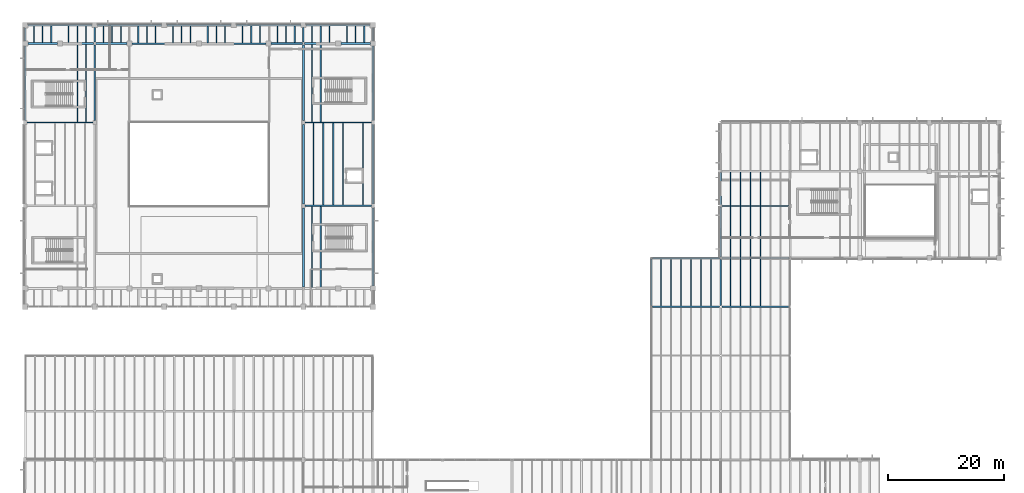
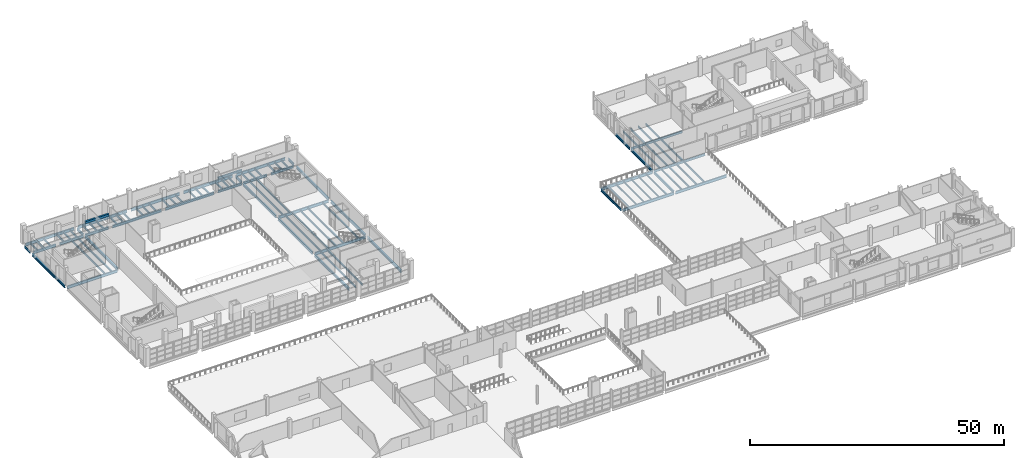
# One storey, part 44 of 78: 98 beams.
"""IFC4 building model written with IfcOpenShell, lengths in metres."""

import ifcopenshell
import ifcopenshell.guid

model = None  # the IFC model being written
_history = None  # IfcOwnerHistory: only IFC2X3 demands one
_inside = {}  # id of a spatial element -> (the spatial element, [elements in it])
_under = {}  # id of a project, library or spatial element -> (it, [spatial elements below it])
_declared = {}  # id of a project -> (the project, [libraries it declares])
_typed = {}  # id of a type object -> (the type object, [elements of that type])
_made_of = {}  # id of a material, layer set ... -> (it, [elements and type objects made of it])


def new_model(schema):
    """Start an empty IFC model of exactly this schema.

    Asked for "IFC4X3", IfcOpenShell would pick the latest addendum, in which some entities
    have other attributes; the version numbers below select the first issue.
    IFC2X3 requires an IfcOwnerHistory on every rooted entity: one is made here for all.
    """
    global model, _history
    if schema == "IFC4X3":
        model = ifcopenshell.file(schema_version=(4, 3, 0, 0))
    else:
        model = ifcopenshell.file(schema=schema)
    _inside.clear()
    _under.clear()
    _declared.clear()
    _typed.clear()
    _made_of.clear()
    _history = None
    if model.schema == "IFC2X3":
        org = make("IfcOrganization", Name="unknown")
        user = make(
            "IfcPersonAndOrganization",
            ThePerson=make("IfcPerson", FamilyName="unknown"),
            TheOrganization=org,
        )
        app = make(
            "IfcApplication",
            ApplicationDeveloper=org,
            Version="unknown",
            ApplicationFullName="unknown",
            ApplicationIdentifier="unknown",
        )
        _history = make(
            "IfcOwnerHistory",
            OwningUser=user,
            OwningApplication=app,
            ChangeAction="ADDED",
            CreationDate=0,
        )
    return model


def make(cls, **values):
    """One entity of the class cls with the attributes given. An attribute that is None is left unset."""
    return model.create_entity(
        cls, **{name: value for name, value in values.items() if value is not None}
    )


def rooted(cls, **values):
    """An entity with a GlobalId (a new one), such as an element, a storey or a relation."""
    return make(cls, GlobalId=ifcopenshell.guid.new(), OwnerHistory=_history, **values)


def si_unit(unit_type, name, prefix=None):
    """IfcSIUnit, for example si_unit("LENGTHUNIT", "METRE", prefix="MILLI")."""
    return make("IfcSIUnit", UnitType=unit_type, Prefix=prefix, Name=name)


def assignment(units):
    """IfcUnitAssignment: the units of a project."""
    return None if units is None else make("IfcUnitAssignment", Units=units)


def point(xyz):
    """IfcCartesianPoint."""
    return None if xyz is None else make("IfcCartesianPoint", Coordinates=xyz)


def direction(xyz):
    """IfcDirection."""
    return None if xyz is None else make("IfcDirection", DirectionRatios=xyz)


def frame(location, z_axis=None, x_axis=None):
    """IfcAxis2Placement3D, a coordinate frame: its origin and axes. An axis left out is left unset."""
    return make(
        "IfcAxis2Placement3D",
        Location=point(location),
        Axis=direction(z_axis),
        RefDirection=direction(x_axis),
    )


def frame_2d(location, x_axis=None):
    """IfcAxis2Placement2D, a coordinate frame in the plane: its origin and x axis."""
    return make(
        "IfcAxis2Placement2D", Location=point(location), RefDirection=direction(x_axis)
    )


def origin():
    """The frame at (0, 0, 0) with its axes left unset."""
    return frame((0.0, 0.0, 0.0))


def origin_2d():
    """The frame at (0, 0) in the plane with its x axis left unset."""
    return frame_2d((0.0, 0.0))


def place(relative_to, where):
    """IfcLocalPlacement: puts the frame where relative to a parent placement (None: the world)."""
    return make(
        "IfcLocalPlacement", PlacementRelTo=relative_to, RelativePlacement=where
    )


def context(
    kind, dimensions, precision=None, world=None, true_north=None, identifier=None
):
    """IfcGeometricRepresentationContext, for example the 3D "Model" context."""
    return make(
        "IfcGeometricRepresentationContext",
        ContextIdentifier=identifier,
        ContextType=kind,
        CoordinateSpaceDimension=dimensions,
        Precision=precision,
        WorldCoordinateSystem=world,
        TrueNorth=true_north,
    )


def subcontext(parent, identifier, kind, view, scale=None):
    """IfcGeometricRepresentationSubContext, for example "Body" below "Model"."""
    return make(
        "IfcGeometricRepresentationSubContext",
        ContextIdentifier=identifier,
        ContextType=kind,
        ParentContext=parent,
        TargetScale=scale,
        TargetView=view,
    )


def project(units=None, contexts=None):
    """IfcProject with its units and contexts."""
    return rooted(
        "IfcProject",
        Name="project",
        RepresentationContexts=contexts,
        UnitsInContext=assignment(units),
    )


def spatial(cls, under=None, at=None, **own):
    """A site, building, storey or space (cls), placed at a placement, below another one or the project."""
    s = rooted(cls, ObjectPlacement=at, **own)
    if under is not None:
        _under.setdefault(under.id(), (under, []))[1].append(s)
    return s


def profile(cls, at=None, kind="AREA", **sizes):
    """A parametric profile (cls). Its sizes go by their IFC names, for example OverallWidth=200.0."""
    return make(cls, ProfileType=kind, Position=at, **sizes)


def rectangle(**sizes):
    """IfcRectangleProfileDef."""
    return profile("IfcRectangleProfileDef", **sizes)


def i_section(**sizes):
    """IfcIShapeProfileDef."""
    return profile("IfcIShapeProfileDef", **sizes)


def extrude(swept, where, along, depth):
    """IfcExtrudedAreaSolid: the profile swept, set in the frame where, extruded along a direction by depth."""
    return make(
        "IfcExtrudedAreaSolid",
        SweptArea=swept,
        Position=where,
        ExtrudedDirection=direction(along),
        Depth=depth,
    )


def shape(context_of_items, identifier, shape_type, items):
    """IfcShapeRepresentation: the items that make up one representation, for example the "Body"."""
    return make(
        "IfcShapeRepresentation",
        ContextOfItems=context_of_items,
        RepresentationIdentifier=identifier,
        RepresentationType=shape_type,
        Items=items,
    )


def material(Name=None, Category=None):
    """IfcMaterial."""
    return make("IfcMaterial", Name=Name, Category=Category)


def material_profile(
    of_material, cross_section, Name=None, Category=None, Priority=None
):
    """IfcMaterialProfile: a cross section and its material."""
    return make(
        "IfcMaterialProfile",
        Name=Name,
        Material=of_material,
        Profile=cross_section,
        Priority=Priority,
        Category=Category,
    )


def profile_set(profiles, Name=None, composite=None):
    """IfcMaterialProfileSet."""
    return make(
        "IfcMaterialProfileSet",
        Name=Name,
        MaterialProfiles=profiles,
        CompositeProfile=composite,
    )


def made_of(thing, what):
    """Note that an element or type object is made of a material, layer set ...; save() writes the relation."""
    if what is not None:
        _made_of.setdefault(what.id(), (what, []))[1].append(thing)
    return thing


def type_object(cls, material=None, **own):
    """A type object (cls), such as IfcWallType, which elements share."""
    return made_of(rooted(cls, **own), material)


def element(
    cls,
    number,
    at=None,
    inside=None,
    cuts=None,
    type_object=None,
    material=None,
    context=None,
    identifier="Body",
    shape_type=None,
    held_by="IfcProductDefinitionShape",
    body=None,
    shapes=None,
    **own,
):
    """One element of the class cls, such as IfcWall. Its Tag is "e" and its number.

    at: its placement. inside: the storey or other place that contains it. cuts: it is an
    opening in that element (IfcRelVoidsElement). A single representation is given by context,
    identifier, shape_type and body (its items); several are given by shapes. held_by: the class
    of the entity that holds the representations. save() writes the other relations.
    """
    e = rooted(cls, Tag="e%d" % number, ObjectPlacement=at, **own)
    if body is not None:
        shapes = [shape(context, identifier, shape_type, body)]
    if shapes is not None:
        e.Representation = make(held_by, Representations=shapes)
    if inside is not None:
        _inside.setdefault(inside.id(), (inside, []))[1].append(e)
    if cuts is not None:
        rooted(
            "IfcRelVoidsElement", RelatingBuildingElement=cuts, RelatedOpeningElement=e
        )
    if type_object is not None:
        _typed.setdefault(type_object.id(), (type_object, []))[1].append(e)
    return made_of(e, material)


def aggregate(whole, parts):
    """IfcRelAggregates: a whole, such as a stair, and the parts it consists of."""
    return rooted("IfcRelAggregates", RelatingObject=whole, RelatedObjects=parts)


def save(model, path):
    """Write the relations noted so far, then the file.

    IfcRelAggregates (storeys below a building ...), IfcRelContainedInSpatialStructure (elements
    in a storey), IfcRelDefinesByType, IfcRelAssociatesMaterial and IfcRelDeclares: one each for
    every whole, place, type object, material and project.
    """
    for whole, parts in _under.values():
        aggregate(whole, parts)
    for where, things in _inside.values():
        rooted(
            "IfcRelContainedInSpatialStructure",
            RelatedElements=things,
            RelatingStructure=where,
        )
    for kind, things in _typed.values():
        rooted("IfcRelDefinesByType", RelatedObjects=things, RelatingType=kind)
    for what, things in _made_of.values():
        rooted("IfcRelAssociatesMaterial", RelatedObjects=things, RelatingMaterial=what)
    for by, libraries in _declared.values():
        rooted("IfcRelDeclares", RelatingContext=by, RelatedDefinitions=libraries)
    model.write(path)


model = new_model("IFC4")

# Units and contexts
model_context = context("Model", 3, precision=1e-05, world=origin(), true_north=direction((0.0, 1.0)))
body_context = subcontext(model_context, "Body", "Model", "MODEL_VIEW")
ifc_project = project(units=[si_unit("LENGTHUNIT", "METRE"), si_unit("AREAUNIT", "SQUARE_METRE"), si_unit("VOLUMEUNIT", "CUBIC_METRE"), si_unit("PLANEANGLEUNIT", "RADIAN"), si_unit("MASSUNIT", "GRAM", prefix="KILO")], contexts=[model_context])

# Site, building, storey
site_placement = place(None, origin())
site = spatial("IfcSite", under=ifc_project, at=site_placement, CompositionType="ELEMENT")
building_placement = place(site_placement, origin())
building = spatial("IfcBuilding", under=site, at=building_placement, Name="Kelmvaro Bay Concert Hall", CompositionType="ELEMENT")
storey_placement = place(building_placement, frame((0.0, 0.0, 9.300048828125)))
storey = spatial("IfcBuildingStorey", under=building, at=storey_placement, Name="L02", CompositionType="ELEMENT", Elevation=9.300048828125)

# Beams
ifc_material_1 = material(Name="Steel ASTM A992 Grade 50", Category="steel")
ifc_material_profile_1 = material_profile(ifc_material_1, i_section(OverallWidth=0.19189453125, OverallDepth=0.4619140625, WebThickness=0.010498046875, FlangeThickness=0.017578125, at=origin_2d()), Name="W18X60")
ifc_profile_set_1 = profile_set([ifc_material_profile_1], Name="Steel ASTM A992 Grade 50")
beam_type_1 = type_object("IfcBeamType", Name="Acoustic Box Floor Joist W18x60", PredefinedType="JOIST", material=ifc_profile_set_1)
for number, where, z_axis, x_axis, name in (
    (1, (49.5, 68.741943359375, -0.531005859375), (0.0, 1.0, 0.0), (-1.0, 0.0, 0.0), "L02 Floor Joist JST-L02-1236"),
    (2, (51.0, 68.741943359375, -0.531005859375), (0.0, 1.0, 0.0), (-1.0, 0.0, 0.0), "L02 Floor Joist JST-L02-1237"),
):
    element("IfcBeam", number, at=place(storey_placement, frame(where, z_axis=z_axis, x_axis=x_axis)), inside=storey, type_object=beam_type_1, Name=name, PredefinedType="JOIST", context=body_context, shape_type="SweptSolid", body=[
        extrude(i_section(OverallWidth=0.19189453125, OverallDepth=0.4619140625, WebThickness=0.010498046875, FlangeThickness=0.017578125, at=origin_2d()), origin(), (0.0, 0.0, 1.0), 13.93017578125),
    ])
for number, where, z_axis, x_axis, name in (
    (3, (49.71435546875, 82.927978515625, -0.531005859375), (0.0, 1.0, 0.0), (-1.0, 0.0, 0.0), "L02 Floor Joist JST-L02-1256"),
    (4, (51.4287109375, 82.927978515625, -0.531005859375), (0.0, 1.0, 0.0), (-1.0, 0.0, 0.0), "L02 Floor Joist JST-L02-1257"),
    (5, (53.142822265625, 82.927978515625, -0.531005859375), (0.0, 1.0, 0.0), (-1.0, 0.0, 0.0), "L02 Floor Joist JST-L02-1258"),
    (6, (54.857177734375, 82.927978515625, -0.531005859375), (0.0, 1.0, 0.0), (-1.0, 0.0, 0.0), "L02 Floor Joist JST-L02-1259"),
    (7, (58.28564453125, 82.927978515625, -0.531005859375), (0.0, 1.0, 0.0), (-1.0, 0.0, 0.0), "L02 Floor Joist JST-L02-1260"),
):
    element("IfcBeam", number, at=place(storey_placement, frame(where, z_axis=z_axis, x_axis=x_axis)), inside=storey, type_object=beam_type_1, Name=name, PredefinedType="JOIST", context=body_context, shape_type="SweptSolid", body=[
        extrude(i_section(OverallWidth=0.19189453125, OverallDepth=0.4619140625, WebThickness=0.010498046875, FlangeThickness=0.017578125, at=origin_2d()), origin(), (0.0, 0.0, 1.0), 14.14404296875),
    ])
for number, where, z_axis, x_axis, name in (
    (8, (9.0, 97.327880859375, -0.531005859375), (0.0, 1.0, 0.0), (-1.0, 0.0, 0.0), "L02 Floor Joist JST-L02-1289"),
    (9, (10.5, 97.327880859375, -0.531005859375), (0.0, 1.0, 0.0), (-1.0, 0.0, 0.0), "L02 Floor Joist JST-L02-1290"),
    (10, (49.5, 97.327880859375, -0.531005859375), (0.0, 1.0, 0.0), (-1.0, 0.0, 0.0), "L02 Floor Joist JST-L02-1291"),
    (11, (51.0, 97.327880859375, -0.531005859375), (0.0, 1.0, 0.0), (-1.0, 0.0, 0.0), "L02 Floor Joist JST-L02-1292"),
):
    element("IfcBeam", number, at=place(storey_placement, frame(where, z_axis=z_axis, x_axis=x_axis)), inside=storey, type_object=beam_type_1, Name=name, PredefinedType="JOIST", context=body_context, shape_type="SweptSolid", body=[
        extrude(i_section(OverallWidth=0.19189453125, OverallDepth=0.4619140625, WebThickness=0.010498046875, FlangeThickness=0.017578125, at=origin_2d()), origin(), (0.0, 0.0, 1.0), 13.330078125),
    ])
ifc_material_2 = material(Name="Concrete C40/50", Category="concrete")
ifc_material_profile_2 = material_profile(ifc_material_2, rectangle(XDim=0.39990234375, YDim=0.550048828125, at=origin_2d()), Name="RC-LNT-400X550")
ifc_profile_set_2 = profile_set([ifc_material_profile_2], Name="Concrete C40/50")
beam_type_2 = type_object("IfcBeamType", Name="Acoustic Sound Lock Lintel RC400x550", PredefinedType="LINTEL", material=ifc_profile_set_2)
beam_1_placement = place(storey_placement, frame((12.14990234375, 110.820068359375, 2.574951171875), z_axis=(1.0, 0.0, 0.0), x_axis=(0.0, 1.0, 0.0)))
element("IfcBeam", 12, at=beam_1_placement, inside=storey, type_object=beam_type_2, Name="L02 Acoustic Portal Lintel N1", PredefinedType="LINTEL", context=body_context, shape_type="SweptSolid", body=[
    extrude(rectangle(XDim=0.39990234375, YDim=0.550048828125, at=origin_2d()), origin(), (0.0, 0.0, 1.0), 5.400146484375),
])
ifc_material_3 = material(Name="Concrete C40/50", Category="concrete")
ifc_material_profile_3 = material_profile(ifc_material_3, rectangle(XDim=0.300048828125, YDim=0.39990234375, at=origin_2d()), Name="RC-LNT-300X400")
ifc_profile_set_3 = profile_set([ifc_material_profile_3], Name="Concrete C40/50")
beam_type_3 = type_object("IfcBeamType", Name="Backstage Doorway Lintel RC300x400", PredefinedType="LINTEL", material=ifc_profile_set_3)
beam_2_placement = place(storey_placement, frame((42.449951171875, 110.820068359375, 2.64990234375), z_axis=(1.0, 0.0, 0.0), x_axis=(0.0, 1.0, 0.0)))
element("IfcBeam", 13, at=beam_2_placement, inside=storey, type_object=beam_type_3, Name="L02 Acoustic Portal Lintel N2", PredefinedType="LINTEL", context=body_context, shape_type="SweptSolid", body=[
    extrude(rectangle(XDim=0.300048828125, YDim=0.39990234375, at=origin_2d()), origin(), (0.0, 0.0, 1.0), 5.400146484375),
])
ifc_material_4 = material(Name="Steel ASTM A992 Grade 50", Category="steel")
ifc_material_profile_4 = material_profile(ifc_material_4, i_section(OverallWidth=0.2099609375, OverallDepth=0.535888671875, WebThickness=0.010986328125, FlangeThickness=0.017333984375, at=origin_2d()), Name="W21X68")
ifc_profile_set_4 = profile_set([ifc_material_profile_4], Name="Steel ASTM A992 Grade 50")
beam_type_4 = type_object("IfcBeamType", Name="Crystal Roof Tie Girder W21x68", PredefinedType="BEAM", material=ifc_profile_set_4)
for number, where, z_axis, x_axis, name in (
    (14, (120.200439453125, 73.800048828125, -0.528076171875), (1.0, 0.0, 0.0), (0.0, 1.0, 0.0), "L02 Girder BM-L02-EW-0765"),
    (15, (120.200439453125, 82.800048828125, -0.528076171875), (1.0, 0.0, 0.0), (0.0, 1.0, 0.0), "L02 Girder BM-L02-EW-0771"),
):
    element("IfcBeam", number, at=place(storey_placement, frame(where, z_axis=z_axis, x_axis=x_axis)), inside=storey, type_object=beam_type_4, Name=name, PredefinedType="BEAM", context=body_context, shape_type="SweptSolid", body=[
        extrude(i_section(OverallWidth=0.2099609375, OverallDepth=0.535888671875, WebThickness=0.010986328125, FlangeThickness=0.017333984375, at=origin_2d()), origin(), (0.0, 0.0, 1.0), 11.59912109375),
    ])
ifc_material_5 = material(Name="Steel ASTM A992 Grade 50", Category="steel")
ifc_material_profile_5 = material_profile(ifc_material_5, i_section(OverallWidth=0.323974609375, OverallDepth=0.611083984375, WebThickness=0.0126953125, FlangeThickness=0.01904296875, at=origin_2d()), Name="W24X104")
ifc_profile_set_5 = profile_set([ifc_material_profile_5], Name="Steel ASTM A992 Grade 50")
beam_type_5 = type_object("IfcBeamType", Name="Foyer Frame Girder W24x104", PredefinedType="BEAM", material=ifc_profile_set_5)
beam_3_placement = place(storey_placement, frame((0.449951171875, 110.820068359375, -0.60546875), z_axis=(1.0, 0.0, 0.0), x_axis=(0.0, 1.0, 0.0)))
element("IfcBeam", 16, at=beam_3_placement, inside=storey, type_object=beam_type_5, Name="L02 Girder BM-L02-EW-0782", PredefinedType="BEAM", context=body_context, shape_type="SweptSolid", body=[
    extrude(i_section(OverallWidth=0.323974609375, OverallDepth=0.611083984375, WebThickness=0.0126953125, FlangeThickness=0.01904296875, at=origin_2d()), origin(), (0.0, 0.0, 1.0), 5.10009765625),
])
for number, where, z_axis, x_axis, name in (
    (17, (6.449951171875, 110.820068359375, -0.60546875), (1.0, 0.0, 0.0), (0.0, 1.0, 0.0), "L02 Girder BM-L02-EW-0783"),
    (18, (12.199951171875, 110.820068359375, -0.60546875), (1.0, 0.0, 0.0), (0.0, 1.0, 0.0), "L02 Girder BM-L02-EW-0784"),
):
    element("IfcBeam", number, at=place(storey_placement, frame(where, z_axis=z_axis, x_axis=x_axis)), inside=storey, type_object=beam_type_5, Name=name, PredefinedType="BEAM", context=body_context, shape_type="SweptSolid", body=[
        extrude(i_section(OverallWidth=0.323974609375, OverallDepth=0.611083984375, WebThickness=0.0126953125, FlangeThickness=0.01904296875, at=origin_2d()), origin(), (0.0, 0.0, 1.0), 5.35009765625),
    ])
for number, where, z_axis, x_axis, name in (
    (19, (42.449951171875, 110.820068359375, -0.60546875), (1.0, 0.0, 0.0), (0.0, 1.0, 0.0), "L02 Girder BM-L02-EW-0787"),
    (20, (48.175048828125, 110.820068359375, -0.60546875), (1.0, 0.0, 0.0), (0.0, 1.0, 0.0), "L02 Girder BM-L02-EW-0788"),
):
    element("IfcBeam", number, at=place(storey_placement, frame(where, z_axis=z_axis, x_axis=x_axis)), inside=storey, type_object=beam_type_5, Name=name, PredefinedType="BEAM", context=body_context, shape_type="SweptSolid", body=[
        extrude(i_section(OverallWidth=0.323974609375, OverallDepth=0.611083984375, WebThickness=0.0126953125, FlangeThickness=0.01904296875, at=origin_2d()), origin(), (0.0, 0.0, 1.0), 5.375),
    ])
beam_4_placement = place(storey_placement, frame((54.449951171875, 110.820068359375, -0.60546875), z_axis=(1.0, 0.0, 0.0), x_axis=(0.0, 1.0, 0.0)))
element("IfcBeam", 21, at=beam_4_placement, inside=storey, type_object=beam_type_5, Name="L02 Girder BM-L02-EW-0789", PredefinedType="BEAM", context=body_context, shape_type="SweptSolid", body=[
    extrude(i_section(OverallWidth=0.323974609375, OverallDepth=0.611083984375, WebThickness=0.0126953125, FlangeThickness=0.01904296875, at=origin_2d()), origin(), (0.0, 0.0, 1.0), 5.10009765625),
])
beam_5_placement = place(storey_placement, frame((0.0, 97.574951171875, -0.60546875), z_axis=(0.0, 1.0, 0.0), x_axis=(-1.0, 0.0, 0.0)))
element("IfcBeam", 22, at=beam_5_placement, inside=storey, type_object=beam_type_5, Name="L02 Girder BM-L02-NS-0803", PredefinedType="BEAM", context=body_context, shape_type="SweptSolid", body=[
    extrude(i_section(OverallWidth=0.323974609375, OverallDepth=0.611083984375, WebThickness=0.0126953125, FlangeThickness=0.01904296875, at=origin_2d()), origin(), (0.0, 0.0, 1.0), 12.795166015625),
])
beam_6_placement = place(storey_placement, frame((12.0, 97.574951171875, -0.60546875), z_axis=(0.0, 1.0, 0.0), x_axis=(-1.0, 0.0, 0.0)))
element("IfcBeam", 23, at=beam_6_placement, inside=storey, type_object=beam_type_5, Name="L02 Girder BM-L02-NS-0813", PredefinedType="BEAM", context=body_context, shape_type="SweptSolid", body=[
    extrude(i_section(OverallWidth=0.323974609375, OverallDepth=0.611083984375, WebThickness=0.0126953125, FlangeThickness=0.01904296875, at=origin_2d()), origin(), (0.0, 0.0, 1.0), 12.969970703125),
])
beam_7_placement = place(storey_placement, frame((48.0, 68.830078125, -0.60546875), z_axis=(0.0, 1.0, 0.0), x_axis=(-1.0, 0.0, 0.0)))
element("IfcBeam", 24, at=beam_7_placement, inside=storey, type_object=beam_type_5, Name="L02 Girder BM-L02-NS-0828", PredefinedType="BEAM", context=body_context, shape_type="SweptSolid", body=[
    extrude(i_section(OverallWidth=0.323974609375, OverallDepth=0.611083984375, WebThickness=0.0126953125, FlangeThickness=0.01904296875, at=origin_2d()), origin(), (0.0, 0.0, 1.0), 13.594970703125),
])
beam_8_placement = place(storey_placement, frame((48.0, 83.175048828125, -0.60546875), z_axis=(0.0, 1.0, 0.0), x_axis=(-1.0, 0.0, 0.0)))
element("IfcBeam", 25, at=beam_8_placement, inside=storey, type_object=beam_type_5, Name="L02 Girder BM-L02-NS-0829", PredefinedType="BEAM", context=body_context, shape_type="SweptSolid", body=[
    extrude(i_section(OverallWidth=0.323974609375, OverallDepth=0.611083984375, WebThickness=0.0126953125, FlangeThickness=0.01904296875, at=origin_2d()), origin(), (0.0, 0.0, 1.0), 13.64990234375),
])
beam_9_placement = place(storey_placement, frame((48.0, 97.574951171875, -0.60546875), z_axis=(0.0, 1.0, 0.0), x_axis=(-1.0, 0.0, 0.0)))
element("IfcBeam", 26, at=beam_9_placement, inside=storey, type_object=beam_type_5, Name="L02 Girder BM-L02-NS-0830", PredefinedType="BEAM", context=body_context, shape_type="SweptSolid", body=[
    extrude(i_section(OverallWidth=0.323974609375, OverallDepth=0.611083984375, WebThickness=0.0126953125, FlangeThickness=0.01904296875, at=origin_2d()), origin(), (0.0, 0.0, 1.0), 12.9951171875),
])
beam_10_placement = place(storey_placement, frame((60.0, 69.030029296875, -0.60546875), z_axis=(0.0, 1.0, 0.0), x_axis=(-1.0, 0.0, 0.0)))
element("IfcBeam", 27, at=beam_10_placement, inside=storey, type_object=beam_type_5, Name="L02 Girder BM-L02-NS-0837", PredefinedType="BEAM", context=body_context, shape_type="SweptSolid", body=[
    extrude(i_section(OverallWidth=0.323974609375, OverallDepth=0.611083984375, WebThickness=0.0126953125, FlangeThickness=0.01904296875, at=origin_2d()), origin(), (0.0, 0.0, 1.0), 13.39501953125),
])
beam_11_placement = place(storey_placement, frame((60.0, 83.175048828125, -0.60546875), z_axis=(0.0, 1.0, 0.0), x_axis=(-1.0, 0.0, 0.0)))
element("IfcBeam", 28, at=beam_11_placement, inside=storey, type_object=beam_type_5, Name="L02 Girder BM-L02-NS-0838", PredefinedType="BEAM", context=body_context, shape_type="SweptSolid", body=[
    extrude(i_section(OverallWidth=0.323974609375, OverallDepth=0.611083984375, WebThickness=0.0126953125, FlangeThickness=0.01904296875, at=origin_2d()), origin(), (0.0, 0.0, 1.0), 13.64990234375),
])
beam_12_placement = place(storey_placement, frame((60.0, 97.574951171875, -0.60546875), z_axis=(0.0, 1.0, 0.0), x_axis=(-1.0, 0.0, 0.0)))
element("IfcBeam", 29, at=beam_12_placement, inside=storey, type_object=beam_type_5, Name="L02 Girder BM-L02-NS-0839", PredefinedType="BEAM", context=body_context, shape_type="SweptSolid", body=[
    extrude(i_section(OverallWidth=0.323974609375, OverallDepth=0.611083984375, WebThickness=0.0126953125, FlangeThickness=0.01904296875, at=origin_2d()), origin(), (0.0, 0.0, 1.0), 12.795166015625),
])
beam_13_placement = place(storey_placement, frame((120.0, 73.99951171875, -0.5654296875), z_axis=(0.0, 1.0, 0.0), x_axis=(-1.0, 0.0, 0.0)))
element("IfcBeam", 30, at=beam_13_placement, inside=storey, type_object=beam_type_5, Name="L02 Girder BM-L02-NS-0864", PredefinedType="BEAM", context=body_context, shape_type="SweptSolid", body=[
    extrude(i_section(OverallWidth=0.323974609375, OverallDepth=0.611083984375, WebThickness=0.0126953125, FlangeThickness=0.01904296875, at=origin_2d()), origin(), (0.0, 0.0, 1.0), 8.603515625),
])
ifc_material_6 = material(Name="Steel ASTM A992 Grade 50", Category="steel")
ifc_material_profile_6 = material_profile(ifc_material_6, i_section(OverallWidth=0.256103515625, OverallDepth=0.693115234375, WebThickness=0.014404296875, FlangeThickness=0.023681640625, at=origin_2d()), Name="W27X114")
ifc_profile_set_6 = profile_set([ifc_material_profile_6], Name="Steel ASTM A992 Grade 50")
beam_type_6 = type_object("IfcBeamType", Name="Foyer Primary Girder W27x114", PredefinedType="BEAM", material=ifc_profile_set_6)
for number, where, z_axis, x_axis, name in (
    (31, (108.197998046875, 65.39990234375, -0.586669921875), (1.0, 0.0, 0.0), (0.0, 1.0, 0.0), "L02 Girder BM-L02-EW-0754"),
    (32, (120.197998046875, 65.39990234375, -0.586669921875), (1.0, 0.0, 0.0), (0.0, 1.0, 0.0), "L02 Girder BM-L02-EW-0755"),
):
    element("IfcBeam", number, at=place(storey_placement, frame(where, z_axis=z_axis, x_axis=x_axis)), inside=storey, type_object=beam_type_6, Name=name, PredefinedType="BEAM", context=body_context, shape_type="SweptSolid", body=[
        extrude(i_section(OverallWidth=0.256103515625, OverallDepth=0.693115234375, WebThickness=0.014404296875, FlangeThickness=0.023681640625, at=origin_2d()), origin(), (0.0, 0.0, 1.0), 11.60400390625),
    ])
beam_14_placement = place(storey_placement, frame((108.197998046875, 73.800048828125, -0.586669921875), z_axis=(1.0, 0.0, 0.0), x_axis=(0.0, 1.0, 0.0)))
element("IfcBeam", 33, at=beam_14_placement, inside=storey, type_object=beam_type_6, Name="L02 Girder BM-L02-EW-0764", PredefinedType="BEAM", context=body_context, shape_type="SweptSolid", body=[
    extrude(i_section(OverallWidth=0.256103515625, OverallDepth=0.693115234375, WebThickness=0.014404296875, FlangeThickness=0.023681640625, at=origin_2d()), origin(), (0.0, 0.0, 1.0), 11.6015625),
])
for number, where, z_axis, x_axis, name in (
    (34, (48.27490234375, 82.800048828125, -0.646484375), (1.0, 0.0, 0.0), (0.0, 1.0, 0.0), "L02 Girder BM-L02-EW-0770"),
    (35, (0.27490234375, 97.199951171875, -0.646484375), (1.0, 0.0, 0.0), (0.0, 1.0, 0.0), "L02 Girder BM-L02-EW-0776"),
    (36, (48.27490234375, 97.199951171875, -0.646484375), (1.0, 0.0, 0.0), (0.0, 1.0, 0.0), "L02 Girder BM-L02-EW-0777"),
):
    element("IfcBeam", number, at=place(storey_placement, frame(where, z_axis=z_axis, x_axis=x_axis)), inside=storey, type_object=beam_type_6, Name=name, PredefinedType="BEAM", context=body_context, shape_type="SweptSolid", body=[
        extrude(i_section(OverallWidth=0.256103515625, OverallDepth=0.693115234375, WebThickness=0.014404296875, FlangeThickness=0.023681640625, at=origin_2d()), origin(), (0.0, 0.0, 1.0), 11.4501953125),
    ])
for number, where, z_axis, x_axis, name in (
    (37, (18.449951171875, 110.820068359375, -0.646484375), (1.0, 0.0, 0.0), (0.0, 1.0, 0.0), "L02 Girder BM-L02-EW-0785"),
    (38, (30.449951171875, 110.820068359375, -0.646484375), (1.0, 0.0, 0.0), (0.0, 1.0, 0.0), "L02 Girder BM-L02-EW-0786"),
):
    element("IfcBeam", number, at=place(storey_placement, frame(where, z_axis=z_axis, x_axis=x_axis)), inside=storey, type_object=beam_type_6, Name=name, PredefinedType="BEAM", context=body_context, shape_type="SweptSolid", body=[
        extrude(i_section(OverallWidth=0.256103515625, OverallDepth=0.693115234375, WebThickness=0.014404296875, FlangeThickness=0.023681640625, at=origin_2d()), origin(), (0.0, 0.0, 1.0), 11.10009765625),
    ])
beam_15_placement = place(storey_placement, frame((0.47509765625, 114.0, -0.646484375), z_axis=(1.0, 0.0, 0.0), x_axis=(0.0, 1.0, 0.0)))
element("IfcBeam", 39, at=beam_15_placement, inside=storey, type_object=beam_type_6, Name="L02 Girder BM-L02-EW-0790", PredefinedType="BEAM", context=body_context, shape_type="SweptSolid", body=[
    extrude(i_section(OverallWidth=0.256103515625, OverallDepth=0.693115234375, WebThickness=0.014404296875, FlangeThickness=0.023681640625, at=origin_2d()), origin(), (0.0, 0.0, 1.0), 11.074951171875),
])
for number, where, z_axis, x_axis, name in (
    (40, (12.449951171875, 114.0, -0.646484375), (1.0, 0.0, 0.0), (0.0, 1.0, 0.0), "L02 Girder BM-L02-EW-0791"),
    (41, (24.449951171875, 114.0, -0.646484375), (1.0, 0.0, 0.0), (0.0, 1.0, 0.0), "L02 Girder BM-L02-EW-0792"),
    (42, (36.449951171875, 114.0, -0.646484375), (1.0, 0.0, 0.0), (0.0, 1.0, 0.0), "L02 Girder BM-L02-EW-0793"),
):
    element("IfcBeam", number, at=place(storey_placement, frame(where, z_axis=z_axis, x_axis=x_axis)), inside=storey, type_object=beam_type_6, Name=name, PredefinedType="BEAM", context=body_context, shape_type="SweptSolid", body=[
        extrude(i_section(OverallWidth=0.256103515625, OverallDepth=0.693115234375, WebThickness=0.014404296875, FlangeThickness=0.023681640625, at=origin_2d()), origin(), (0.0, 0.0, 1.0), 11.10009765625),
    ])
beam_16_placement = place(storey_placement, frame((48.449951171875, 114.0, -0.646484375), z_axis=(1.0, 0.0, 0.0), x_axis=(0.0, 1.0, 0.0)))
element("IfcBeam", 43, at=beam_16_placement, inside=storey, type_object=beam_type_6, Name="L02 Girder BM-L02-EW-0794", PredefinedType="BEAM", context=body_context, shape_type="SweptSolid", body=[
    extrude(i_section(OverallWidth=0.256103515625, OverallDepth=0.693115234375, WebThickness=0.014404296875, FlangeThickness=0.023681640625, at=origin_2d()), origin(), (0.0, 0.0, 1.0), 11.074951171875),
])
ifc_material_7 = material(Name="Steel ASTM A992 Grade 50", Category="steel")
ifc_material_profile_7 = material_profile(ifc_material_7, i_section(OverallWidth=0.19091796875, OverallDepth=0.45703125, WebThickness=0.009033203125, FlangeThickness=0.014404296875, at=origin_2d()), Name="W18X50")
ifc_profile_set_7 = profile_set([ifc_material_profile_7], Name="Steel ASTM A992 Grade 50")
beam_type_7 = type_object("IfcBeamType", Name="Standard Composite Floor Joist W18x50", PredefinedType="JOIST", material=ifc_profile_set_7)
for number, where, z_axis, x_axis, name in (
    (44, (121.71435546875, 73.905029296875, -0.488525390625), (0.0, 1.0, 0.0), (-1.0, 0.0, 0.0), "L02 Floor Joist JST-L02-1238"),
    (45, (123.4287109375, 73.905029296875, -0.488525390625), (0.0, 1.0, 0.0), (-1.0, 0.0, 0.0), "L02 Floor Joist JST-L02-1239"),
    (46, (125.142822265625, 73.905029296875, -0.488525390625), (0.0, 1.0, 0.0), (-1.0, 0.0, 0.0), "L02 Floor Joist JST-L02-1240"),
    (47, (126.857177734375, 73.905029296875, -0.488525390625), (0.0, 1.0, 0.0), (-1.0, 0.0, 0.0), "L02 Floor Joist JST-L02-1241"),
):
    element("IfcBeam", number, at=place(storey_placement, frame(where, z_axis=z_axis, x_axis=x_axis)), inside=storey, type_object=beam_type_7, Name=name, PredefinedType="JOIST", context=body_context, shape_type="SweptSolid", body=[
        extrude(i_section(OverallWidth=0.19091796875, OverallDepth=0.45703125, WebThickness=0.009033203125, FlangeThickness=0.014404296875, at=origin_2d()), origin(), (0.0, 0.0, 1.0), 8.7900390625),
    ])
for number, where, z_axis, x_axis, name in (
    (48, (121.71435546875, 82.905029296875, -0.488525390625), (0.0, 1.0, 0.0), (-1.0, 0.0, 0.0), "L02 Floor Joist JST-L02-1261"),
    (49, (123.4287109375, 82.905029296875, -0.488525390625), (0.0, 1.0, 0.0), (-1.0, 0.0, 0.0), "L02 Floor Joist JST-L02-1262"),
    (50, (125.142822265625, 82.905029296875, -0.488525390625), (0.0, 1.0, 0.0), (-1.0, 0.0, 0.0), "L02 Floor Joist JST-L02-1263"),
    (51, (126.857177734375, 82.905029296875, -0.488525390625), (0.0, 1.0, 0.0), (-1.0, 0.0, 0.0), "L02 Floor Joist JST-L02-1264"),
):
    element("IfcBeam", number, at=place(storey_placement, frame(where, z_axis=z_axis, x_axis=x_axis)), inside=storey, type_object=beam_type_7, Name=name, PredefinedType="JOIST", context=body_context, shape_type="SweptSolid", body=[
        extrude(i_section(OverallWidth=0.19091796875, OverallDepth=0.45703125, WebThickness=0.009033203125, FlangeThickness=0.014404296875, at=origin_2d()), origin(), (0.0, 0.0, 1.0), 5.7900390625),
    ])
for number, where, z_axis, x_axis, name in (
    (52, (1.5, 110.98193359375, -0.528564453125), (0.0, 1.0, 0.0), (-1.0, 0.0, 0.0), "L02 Floor Joist JST-L02-1293"),
    (53, (3.0, 110.98193359375, -0.528564453125), (0.0, 1.0, 0.0), (-1.0, 0.0, 0.0), "L02 Floor Joist JST-L02-1294"),
    (54, (4.5, 110.98193359375, -0.528564453125), (0.0, 1.0, 0.0), (-1.0, 0.0, 0.0), "L02 Floor Joist JST-L02-1295"),
    (55, (7.5, 110.98193359375, -0.528564453125), (0.0, 1.0, 0.0), (-1.0, 0.0, 0.0), "L02 Floor Joist JST-L02-1296"),
    (56, (9.0, 110.98193359375, -0.528564453125), (0.0, 1.0, 0.0), (-1.0, 0.0, 0.0), "L02 Floor Joist JST-L02-1297"),
    (57, (10.5, 110.98193359375, -0.528564453125), (0.0, 1.0, 0.0), (-1.0, 0.0, 0.0), "L02 Floor Joist JST-L02-1298"),
    (58, (13.5, 110.98193359375, -0.528564453125), (0.0, 1.0, 0.0), (-1.0, 0.0, 0.0), "L02 Floor Joist JST-L02-1299"),
    (59, (15.0, 110.98193359375, -0.528564453125), (0.0, 1.0, 0.0), (-1.0, 0.0, 0.0), "L02 Floor Joist JST-L02-1300"),
    (60, (16.5, 110.98193359375, -0.528564453125), (0.0, 1.0, 0.0), (-1.0, 0.0, 0.0), "L02 Floor Joist JST-L02-1301"),
):
    element("IfcBeam", number, at=place(storey_placement, frame(where, z_axis=z_axis, x_axis=x_axis)), inside=storey, type_object=beam_type_7, Name=name, PredefinedType="JOIST", context=body_context, shape_type="SweptSolid", body=[
        extrude(i_section(OverallWidth=0.19091796875, OverallDepth=0.45703125, WebThickness=0.009033203125, FlangeThickness=0.014404296875, at=origin_2d()), origin(), (0.0, 0.0, 1.0), 2.89013671875),
    ])
for number, where, z_axis, x_axis, name in (
    (61, (19.5, 110.947998046875, -0.528564453125), (0.0, 1.0, 0.0), (-1.0, 0.0, 0.0), "L02 Floor Joist JST-L02-1302"),
    (62, (21.0, 110.947998046875, -0.528564453125), (0.0, 1.0, 0.0), (-1.0, 0.0, 0.0), "L02 Floor Joist JST-L02-1303"),
    (63, (22.5, 110.947998046875, -0.528564453125), (0.0, 1.0, 0.0), (-1.0, 0.0, 0.0), "L02 Floor Joist JST-L02-1304"),
    (64, (25.5, 110.947998046875, -0.528564453125), (0.0, 1.0, 0.0), (-1.0, 0.0, 0.0), "L02 Floor Joist JST-L02-1305"),
    (65, (27.0, 110.947998046875, -0.528564453125), (0.0, 1.0, 0.0), (-1.0, 0.0, 0.0), "L02 Floor Joist JST-L02-1306"),
    (66, (28.5, 110.947998046875, -0.528564453125), (0.0, 1.0, 0.0), (-1.0, 0.0, 0.0), "L02 Floor Joist JST-L02-1307"),
    (67, (31.5, 110.947998046875, -0.528564453125), (0.0, 1.0, 0.0), (-1.0, 0.0, 0.0), "L02 Floor Joist JST-L02-1308"),
    (68, (33.0, 110.947998046875, -0.528564453125), (0.0, 1.0, 0.0), (-1.0, 0.0, 0.0), "L02 Floor Joist JST-L02-1309"),
    (69, (34.5, 110.947998046875, -0.528564453125), (0.0, 1.0, 0.0), (-1.0, 0.0, 0.0), "L02 Floor Joist JST-L02-1310"),
    (70, (37.5, 110.947998046875, -0.528564453125), (0.0, 1.0, 0.0), (-1.0, 0.0, 0.0), "L02 Floor Joist JST-L02-1311"),
    (71, (39.0, 110.947998046875, -0.528564453125), (0.0, 1.0, 0.0), (-1.0, 0.0, 0.0), "L02 Floor Joist JST-L02-1312"),
    (72, (40.5, 110.947998046875, -0.528564453125), (0.0, 1.0, 0.0), (-1.0, 0.0, 0.0), "L02 Floor Joist JST-L02-1313"),
):
    element("IfcBeam", number, at=place(storey_placement, frame(where, z_axis=z_axis, x_axis=x_axis)), inside=storey, type_object=beam_type_7, Name=name, PredefinedType="JOIST", context=body_context, shape_type="SweptSolid", body=[
        extrude(i_section(OverallWidth=0.19091796875, OverallDepth=0.45703125, WebThickness=0.009033203125, FlangeThickness=0.014404296875, at=origin_2d()), origin(), (0.0, 0.0, 1.0), 2.924072265625),
    ])
for number, where, z_axis, x_axis, name in (
    (73, (43.5, 110.98193359375, -0.528564453125), (0.0, 1.0, 0.0), (-1.0, 0.0, 0.0), "L02 Floor Joist JST-L02-1314"),
    (74, (45.0, 110.98193359375, -0.528564453125), (0.0, 1.0, 0.0), (-1.0, 0.0, 0.0), "L02 Floor Joist JST-L02-1315"),
    (75, (46.5, 110.98193359375, -0.528564453125), (0.0, 1.0, 0.0), (-1.0, 0.0, 0.0), "L02 Floor Joist JST-L02-1316"),
    (76, (49.5, 110.98193359375, -0.528564453125), (0.0, 1.0, 0.0), (-1.0, 0.0, 0.0), "L02 Floor Joist JST-L02-1317"),
    (77, (51.0, 110.98193359375, -0.528564453125), (0.0, 1.0, 0.0), (-1.0, 0.0, 0.0), "L02 Floor Joist JST-L02-1318"),
    (78, (52.5, 110.98193359375, -0.528564453125), (0.0, 1.0, 0.0), (-1.0, 0.0, 0.0), "L02 Floor Joist JST-L02-1319"),
    (79, (55.5, 110.98193359375, -0.528564453125), (0.0, 1.0, 0.0), (-1.0, 0.0, 0.0), "L02 Floor Joist JST-L02-1320"),
    (80, (57.0, 110.98193359375, -0.528564453125), (0.0, 1.0, 0.0), (-1.0, 0.0, 0.0), "L02 Floor Joist JST-L02-1321"),
    (81, (58.5, 110.98193359375, -0.528564453125), (0.0, 1.0, 0.0), (-1.0, 0.0, 0.0), "L02 Floor Joist JST-L02-1322"),
):
    element("IfcBeam", number, at=place(storey_placement, frame(where, z_axis=z_axis, x_axis=x_axis)), inside=storey, type_object=beam_type_7, Name=name, PredefinedType="JOIST", context=body_context, shape_type="SweptSolid", body=[
        extrude(i_section(OverallWidth=0.19091796875, OverallDepth=0.45703125, WebThickness=0.009033203125, FlangeThickness=0.014404296875, at=origin_2d()), origin(), (0.0, 0.0, 1.0), 2.89013671875),
    ])
ifc_material_8 = material(Name="Steel ASTM A992 Grade 50", Category="steel")
ifc_material_profile_8 = material_profile(ifc_material_8, i_section(OverallWidth=0.179931640625, OverallDepth=0.4140625, WebThickness=0.009765625, FlangeThickness=0.01611328125, at=origin_2d()), Name="W16X50")
ifc_profile_set_8 = profile_set([ifc_material_profile_8], Name="Steel ASTM A992 Grade 50")
beam_type_8 = type_object("IfcBeamType", Name="Terrace Composite Joist W16x50", PredefinedType="JOIST", material=ifc_profile_set_8)
for number, where, z_axis, x_axis, name in (
    (82, (109.71435546875, 65.528076171875, -0.447021484375), (0.0, 1.0, 0.0), (-1.0, 0.0, 0.0), "L02 Floor Joist JST-L02-1222"),
    (83, (111.4287109375, 65.528076171875, -0.447021484375), (0.0, 1.0, 0.0), (-1.0, 0.0, 0.0), "L02 Floor Joist JST-L02-1223"),
    (84, (113.142822265625, 65.528076171875, -0.447021484375), (0.0, 1.0, 0.0), (-1.0, 0.0, 0.0), "L02 Floor Joist JST-L02-1224"),
    (85, (114.857177734375, 65.528076171875, -0.447021484375), (0.0, 1.0, 0.0), (-1.0, 0.0, 0.0), "L02 Floor Joist JST-L02-1225"),
    (86, (116.5712890625, 65.528076171875, -0.447021484375), (0.0, 1.0, 0.0), (-1.0, 0.0, 0.0), "L02 Floor Joist JST-L02-1226"),
    (87, (118.28564453125, 65.528076171875, -0.447021484375), (0.0, 1.0, 0.0), (-1.0, 0.0, 0.0), "L02 Floor Joist JST-L02-1227"),
):
    element("IfcBeam", number, at=place(storey_placement, frame(where, z_axis=z_axis, x_axis=x_axis)), inside=storey, type_object=beam_type_8, Name=name, PredefinedType="JOIST", context=body_context, shape_type="SweptSolid", body=[
        extrude(i_section(OverallWidth=0.179931640625, OverallDepth=0.4140625, WebThickness=0.009765625, FlangeThickness=0.01611328125, at=origin_2d()), origin(), (0.0, 0.0, 1.0), 8.14404296875),
    ])
for number, where, z_axis, x_axis, name in (
    (88, (121.71435546875, 65.528076171875, -0.447021484375), (0.0, 1.0, 0.0), (-1.0, 0.0, 0.0), "L02 Floor Joist JST-L02-1228"),
    (89, (123.4287109375, 65.528076171875, -0.447021484375), (0.0, 1.0, 0.0), (-1.0, 0.0, 0.0), "L02 Floor Joist JST-L02-1229"),
    (90, (125.142822265625, 65.528076171875, -0.447021484375), (0.0, 1.0, 0.0), (-1.0, 0.0, 0.0), "L02 Floor Joist JST-L02-1230"),
    (91, (126.857177734375, 65.528076171875, -0.447021484375), (0.0, 1.0, 0.0), (-1.0, 0.0, 0.0), "L02 Floor Joist JST-L02-1231"),
):
    element("IfcBeam", number, at=place(storey_placement, frame(where, z_axis=z_axis, x_axis=x_axis)), inside=storey, type_object=beam_type_8, Name=name, PredefinedType="JOIST", context=body_context, shape_type="SweptSolid", body=[
        extrude(i_section(OverallWidth=0.179931640625, OverallDepth=0.4140625, WebThickness=0.009765625, FlangeThickness=0.01611328125, at=origin_2d()), origin(), (0.0, 0.0, 1.0), 8.1669921875),
    ])
ifc_material_9 = material(Name="Steel ASTM A992 Grade 50", Category="steel")
ifc_material_profile_9 = material_profile(ifc_material_9, i_section(OverallWidth=0.22900390625, OverallDepth=0.612060546875, WebThickness=0.011962890625, FlangeThickness=0.01953125, at=origin_2d()), Name="W24X84")
ifc_profile_set_9 = profile_set([ifc_material_profile_9], Name="Steel ASTM A992 Grade 50")
beam_type_9 = type_object("IfcBeamType", Name="Terrace Edge Girder W24x84", PredefinedType="BEAM", material=ifc_profile_set_9)
beam_17_placement = place(storey_placement, frame((0.0, 111.27001953125, -0.60595703125), z_axis=(0.0, 1.0, 0.0), x_axis=(-1.0, 0.0, 0.0)))
element("IfcBeam", 92, at=beam_17_placement, inside=storey, type_object=beam_type_9, Name="L02 Girder BM-L02-NS-0804", PredefinedType="BEAM", context=body_context, shape_type="SweptSolid", body=[
    extrude(i_section(OverallWidth=0.22900390625, OverallDepth=0.612060546875, WebThickness=0.011962890625, FlangeThickness=0.01953125, at=origin_2d()), origin(), (0.0, 0.0, 1.0), 2.2548828125),
])
beam_18_placement = place(storey_placement, frame((12.0, 111.094970703125, -0.60595703125), z_axis=(0.0, 1.0, 0.0), x_axis=(-1.0, 0.0, 0.0)))
element("IfcBeam", 93, at=beam_18_placement, inside=storey, type_object=beam_type_9, Name="L02 Girder BM-L02-NS-0814", PredefinedType="BEAM", context=body_context, shape_type="SweptSolid", body=[
    extrude(i_section(OverallWidth=0.22900390625, OverallDepth=0.612060546875, WebThickness=0.011962890625, FlangeThickness=0.01953125, at=origin_2d()), origin(), (0.0, 0.0, 1.0), 2.455078125),
])
beam_19_placement = place(storey_placement, frame((48.0, 111.070068359375, -0.60595703125), z_axis=(0.0, 1.0, 0.0), x_axis=(-1.0, 0.0, 0.0)))
element("IfcBeam", 94, at=beam_19_placement, inside=storey, type_object=beam_type_9, Name="L02 Girder BM-L02-NS-0831", PredefinedType="BEAM", context=body_context, shape_type="SweptSolid", body=[
    extrude(i_section(OverallWidth=0.22900390625, OverallDepth=0.612060546875, WebThickness=0.011962890625, FlangeThickness=0.01953125, at=origin_2d()), origin(), (0.0, 0.0, 1.0), 2.47998046875),
])
beam_20_placement = place(storey_placement, frame((60.0, 111.27001953125, -0.60595703125), z_axis=(0.0, 1.0, 0.0), x_axis=(-1.0, 0.0, 0.0)))
element("IfcBeam", 95, at=beam_20_placement, inside=storey, type_object=beam_type_9, Name="L02 Girder BM-L02-NS-0840", PredefinedType="BEAM", context=body_context, shape_type="SweptSolid", body=[
    extrude(i_section(OverallWidth=0.22900390625, OverallDepth=0.612060546875, WebThickness=0.011962890625, FlangeThickness=0.01953125, at=origin_2d()), origin(), (0.0, 0.0, 1.0), 2.2548828125),
])
beam_21_placement = place(storey_placement, frame((108.0, 65.590576171875, -0.546142578125), z_axis=(0.0, 1.0, 0.0), x_axis=(-1.0, 0.0, 0.0)))
element("IfcBeam", 96, at=beam_21_placement, inside=storey, type_object=beam_type_9, Name="L02 Girder BM-L02-NS-0856", PredefinedType="BEAM", context=body_context, shape_type="SweptSolid", body=[
    extrude(i_section(OverallWidth=0.22900390625, OverallDepth=0.612060546875, WebThickness=0.011962890625, FlangeThickness=0.01953125, at=origin_2d()), origin(), (0.0, 0.0, 1.0), 8.01904296875),
])
beam_22_placement = place(storey_placement, frame((120.0, 65.590576171875, -0.546142578125), z_axis=(0.0, 1.0, 0.0), x_axis=(-1.0, 0.0, 0.0)))
element("IfcBeam", 97, at=beam_22_placement, inside=storey, type_object=beam_type_9, Name="L02 Girder BM-L02-NS-0863", PredefinedType="BEAM", context=body_context, shape_type="SweptSolid", body=[
    extrude(i_section(OverallWidth=0.22900390625, OverallDepth=0.612060546875, WebThickness=0.011962890625, FlangeThickness=0.01953125, at=origin_2d()), origin(), (0.0, 0.0, 1.0), 8.010009765625),
])
beam_23_placement = place(storey_placement, frame((120.0, 82.9970703125, -0.566162109375), z_axis=(0.0, 1.0, 0.0), x_axis=(-1.0, 0.0, 0.0)))
element("IfcBeam", 98, at=beam_23_placement, inside=storey, type_object=beam_type_9, Name="L02 Girder BM-L02-NS-0865", PredefinedType="BEAM", context=body_context, shape_type="SweptSolid", body=[
    extrude(i_section(OverallWidth=0.22900390625, OverallDepth=0.612060546875, WebThickness=0.011962890625, FlangeThickness=0.01953125, at=origin_2d()), origin(), (0.0, 0.0, 1.0), 5.60595703125),
])

save(model, "model.ifc")
